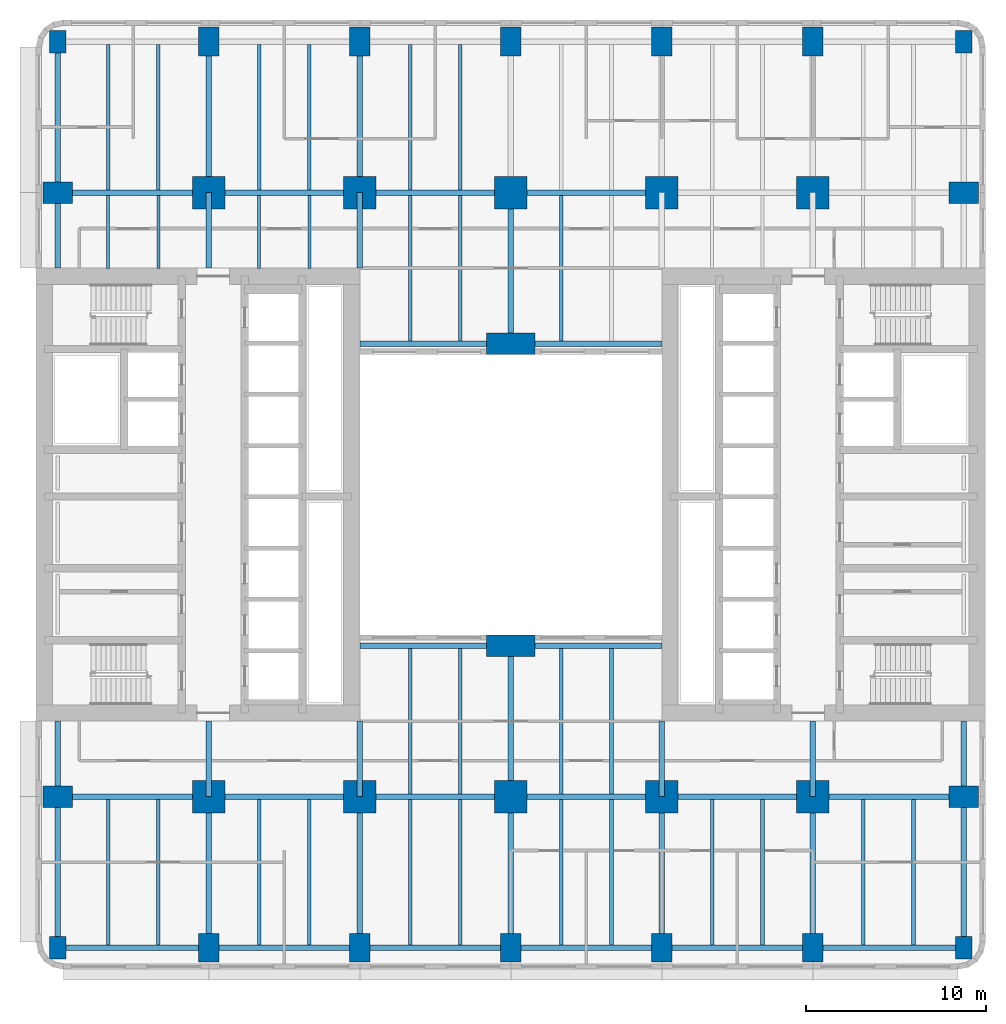
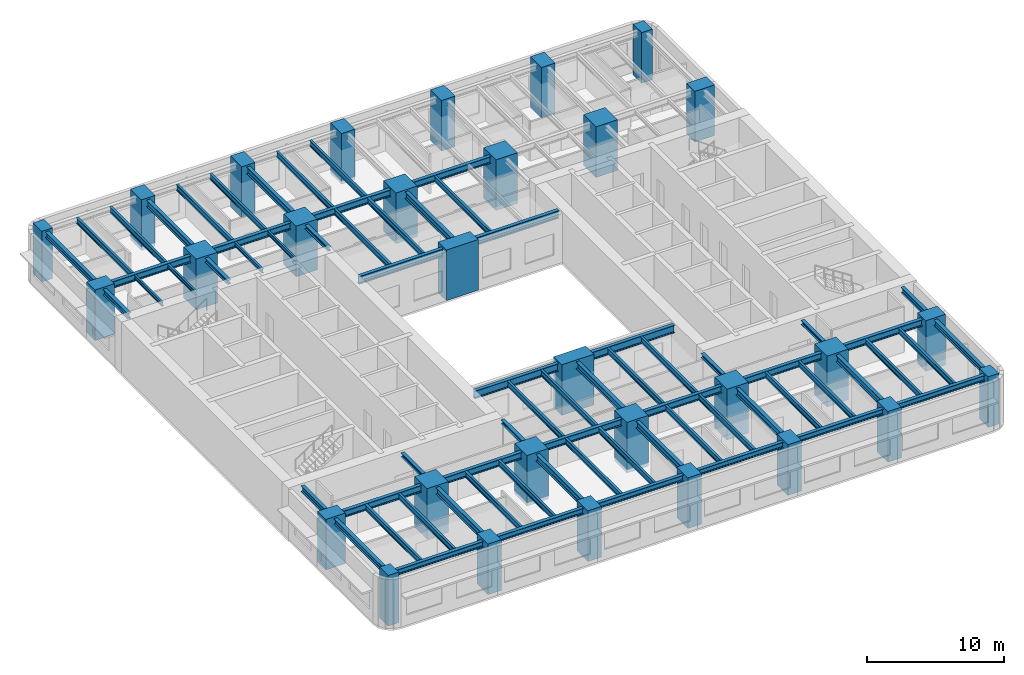
# One storey, part 1 of 14: 70 beams, 30 columns.
"""IFC4 building model written with IfcOpenShell, lengths in metres."""

from ifc_helpers import new_model, si_unit, direction, frame, origin, origin_2d, place, context, subcontext, project, spatial, rectangle, i_section, extrude, material, material_profile, profile_set, type_object, element, save


model = new_model("IFC4")

# Units and contexts
model_context = context("Model", 3, precision=1e-05, world=origin(), true_north=direction((0.0, 1.0)))
body_context = subcontext(model_context, "Body", "Model", "MODEL_VIEW")
ifc_project = project(units=[si_unit("LENGTHUNIT", "METRE"), si_unit("AREAUNIT", "SQUARE_METRE"), si_unit("VOLUMEUNIT", "CUBIC_METRE"), si_unit("PLANEANGLEUNIT", "RADIAN"), si_unit("MASSUNIT", "GRAM", prefix="KILO")], contexts=[model_context])

# Site, building, storey
site_placement = place(None, origin())
site = spatial("IfcSite", under=ifc_project, at=site_placement, CompositionType="ELEMENT")
building_placement = place(site_placement, origin())
building = spatial("IfcBuilding", under=site, at=building_placement, Name="Claustro Exchange Tower", CompositionType="ELEMENT")
storey_placement = place(building_placement, frame((0.0, 0.0, 36.89990234375)))
storey = spatial("IfcBuildingStorey", under=building, at=storey_placement, Name="L08", CompositionType="ELEMENT", Elevation=36.89990234375)

# Columns
ifc_material_1 = material(Name="Concrete HA-70 (C70/85)", Category="concrete")
ifc_material_profile_1 = material_profile(ifc_material_1, rectangle(XDim=1.800048828125, YDim=1.800048828125, at=origin_2d()), Name="RC 1800x1800")
ifc_profile_set_1 = profile_set([ifc_material_profile_1], Name="Concrete HA-70 (C70/85)")
column_type_1 = type_object("IfcColumnType", Name="C14 RC 1800x1800 HA-70 column", PredefinedType="COLUMN", material=ifc_profile_set_1)
for number, where, z_axis, x_axis, name in (
    (1, (8.39990234375, 8.39990234375, 0.0), (0.0, 0.0, 1.0), (1.0, 0.0, 0.0), "Column C14 2/B L08"),
    (2, (8.39990234375, 42.0, 0.0), (0.0, 0.0, 1.0), (1.0, 0.0, 0.0), "Column C14 2/F L08"),
    (3, (16.800048828125, 8.39990234375, 0.0), (0.0, 0.0, 1.0), (1.0, 0.0, 0.0), "Column C14 3/B L08"),
    (4, (16.800048828125, 42.0, 0.0), (0.0, 0.0, 1.0), (1.0, 0.0, 0.0), "Column C14 3/F L08"),
    (5, (25.199951171875, 8.39990234375, 0.0), (0.0, 0.0, 1.0), (1.0, 0.0, 0.0), "Column C14 4/B L08"),
    (6, (25.199951171875, 42.0, 0.0), (0.0, 0.0, 1.0), (1.0, 0.0, 0.0), "Column C14 4/F L08"),
    (7, (33.60009765625, 8.39990234375, 0.0), (0.0, 0.0, 1.0), (1.0, 0.0, 0.0), "Column C14 5/B L08"),
    (8, (33.60009765625, 42.0, 0.0), (0.0, 0.0, 1.0), (1.0, 0.0, 0.0), "Column C14 5/F L08"),
    (9, (42.0, 8.39990234375, 0.0), (0.0, 0.0, 1.0), (1.0, 0.0, 0.0), "Column C14 6/B L08"),
    (10, (42.0, 42.0, 0.0), (0.0, 0.0, 1.0), (1.0, 0.0, 0.0), "Column C14 6/F L08"),
):
    element("IfcColumn", number, at=place(storey_placement, frame(where, z_axis=z_axis, x_axis=x_axis)), inside=storey, type_object=column_type_1, Name=name, PredefinedType="COLUMN", context=body_context, shape_type="SweptSolid", body=[
        extrude(rectangle(XDim=1.800048828125, YDim=1.800048828125, at=origin_2d()), origin(), (0.0, 0.0, 1.0), 4.5),
    ])
ifc_material_2 = material(Name="Concrete HA-70 (C70/85)", Category="concrete")
ifc_material_profile_2 = material_profile(ifc_material_2, rectangle(XDim=1.199951171875, YDim=1.64990234375, at=origin_2d()), Name="RC 1200x1650")
ifc_profile_set_2 = profile_set([ifc_material_profile_2], Name="Concrete HA-70 (C70/85)")
column_type_2 = type_object("IfcColumnType", Name="C19 RC 1200x1650 HA-70 perimeter column", PredefinedType="COLUMN", material=ifc_profile_set_2)
for number, where, z_axis, x_axis, name in (
    (11, (0.0, 8.39990234375, 0.0), (0.0, 0.0, 1.0), (0.0, 1.0, 0.0), "Column C19 1/B L08"),
    (12, (0.0, 42.0, 0.0), (0.0, 0.0, 1.0), (0.0, 1.0, 0.0), "Column C19 1/F L08"),
    (13, (50.39990234375, 8.39990234375, 0.0), (0.0, 0.0, 1.0), (0.0, 1.0, 0.0), "Column C19 7/B L08"),
    (14, (50.39990234375, 42.0, 0.0), (0.0, 0.0, 1.0), (0.0, 1.0, 0.0), "Column C19 7/F L08"),
):
    element("IfcColumn", number, at=place(storey_placement, frame(where, z_axis=z_axis, x_axis=x_axis)), inside=storey, type_object=column_type_2, Name=name, PredefinedType="COLUMN", context=body_context, shape_type="SweptSolid", body=[
        extrude(rectangle(XDim=1.199951171875, YDim=1.64990234375, at=origin_2d()), origin(), (0.0, 0.0, 1.0), 4.5),
    ])
ifc_material_3 = material(Name="Concrete HA-70 (C70/85)", Category="concrete")
ifc_material_profile_3 = material_profile(ifc_material_3, rectangle(XDim=1.14990234375, YDim=1.60009765625, at=origin_2d()), Name="RC 1150x1600")
ifc_profile_set_3 = profile_set([ifc_material_profile_3], Name="Concrete HA-70 (C70/85)")
column_type_3 = type_object("IfcColumnType", Name="C20 RC 1150x1600 HA-70 perimeter column", PredefinedType="COLUMN", material=ifc_profile_set_3)
for number, where, z_axis, x_axis, name in (
    (15, (8.39990234375, 0.0, 0.0), (0.0, 0.0, 1.0), (1.0, 0.0, 0.0), "Column C20 2/A L08"),
    (16, (8.39990234375, 50.39990234375, 0.0), (0.0, 0.0, 1.0), (1.0, 0.0, 0.0), "Column C20 2/G L08"),
    (17, (16.800048828125, 0.0, 0.0), (0.0, 0.0, 1.0), (1.0, 0.0, 0.0), "Column C20 3/A L08"),
    (18, (16.800048828125, 50.39990234375, 0.0), (0.0, 0.0, 1.0), (1.0, 0.0, 0.0), "Column C20 3/G L08"),
    (19, (25.199951171875, 0.0, 0.0), (0.0, 0.0, 1.0), (1.0, 0.0, 0.0), "Column C20 4/A L08"),
    (20, (25.199951171875, 50.39990234375, 0.0), (0.0, 0.0, 1.0), (1.0, 0.0, 0.0), "Column C20 4/G L08"),
    (21, (33.60009765625, 0.0, 0.0), (0.0, 0.0, 1.0), (1.0, 0.0, 0.0), "Column C20 5/A L08"),
    (22, (33.60009765625, 50.39990234375, 0.0), (0.0, 0.0, 1.0), (1.0, 0.0, 0.0), "Column C20 5/G L08"),
    (23, (42.0, 0.0, 0.0), (0.0, 0.0, 1.0), (1.0, 0.0, 0.0), "Column C20 6/A L08"),
    (24, (42.0, 50.39990234375, 0.0), (0.0, 0.0, 1.0), (1.0, 0.0, 0.0), "Column C20 6/G L08"),
):
    element("IfcColumn", number, at=place(storey_placement, frame(where, z_axis=z_axis, x_axis=x_axis)), inside=storey, type_object=column_type_3, Name=name, PredefinedType="COLUMN", context=body_context, shape_type="SweptSolid", body=[
        extrude(rectangle(XDim=1.14990234375, YDim=1.60009765625, at=origin_2d()), origin(), (0.0, 0.0, 1.0), 4.5),
    ])
ifc_material_4 = material(Name="Concrete HA-70 (C70/85)", Category="concrete")
ifc_material_profile_4 = material_profile(ifc_material_4, rectangle(XDim=2.699951171875, YDim=1.199951171875, at=origin_2d()), Name="RC 2700x1200")
ifc_profile_set_4 = profile_set([ifc_material_profile_4], Name="Concrete HA-70 (C70/85)")
column_type_4 = type_object("IfcColumnType", Name="C30 RC 2700x1200 HA-70 light well column", PredefinedType="COLUMN", material=ifc_profile_set_4)
for number, where, z_axis, x_axis, name in (
    (25, (25.199951171875, 16.800048828125, 0.0), (0.0, 0.0, 1.0), (1.0, 0.0, 0.0), "Column C30 4/C L08"),
    (26, (25.199951171875, 33.60009765625, 0.0), (0.0, 0.0, 1.0), (1.0, 0.0, 0.0), "Column C30 4/E L08"),
):
    element("IfcColumn", number, at=place(storey_placement, frame(where, z_axis=z_axis, x_axis=x_axis)), inside=storey, type_object=column_type_4, Name=name, PredefinedType="COLUMN", context=body_context, shape_type="SweptSolid", body=[
        extrude(rectangle(XDim=2.699951171875, YDim=1.199951171875, at=origin_2d()), origin(), (0.0, 0.0, 1.0), 4.5),
    ])
ifc_material_5 = material(Name="Concrete HA-70 (C70/85)", Category="concrete")
ifc_material_profile_5 = material_profile(ifc_material_5, rectangle(XDim=0.89990234375, YDim=1.25, at=origin_2d()), Name="RC 900x1250")
ifc_profile_set_5 = profile_set([ifc_material_profile_5], Name="Concrete HA-70 (C70/85)")
column_type_5 = type_object("IfcColumnType", Name="C35 RC 900x1250 HA-70 corner column", PredefinedType="COLUMN", material=ifc_profile_set_5)
for number, where, z_axis, x_axis, name in (
    (27, (0.0, 0.0, 0.0), (0.0, 0.0, 1.0), (1.0, 0.0, 0.0), "Column C35 1/A L08"),
    (28, (0.0, 50.39990234375, 0.0), (0.0, 0.0, 1.0), (1.0, 0.0, 0.0), "Column C35 1/G L08"),
    (29, (50.39990234375, 0.0, 0.0), (0.0, 0.0, 1.0), (1.0, 0.0, 0.0), "Column C35 7/A L08"),
    (30, (50.39990234375, 50.39990234375, 0.0), (0.0, 0.0, 1.0), (1.0, 0.0, 0.0), "Column C35 7/G L08"),
):
    element("IfcColumn", number, at=place(storey_placement, frame(where, z_axis=z_axis, x_axis=x_axis)), inside=storey, type_object=column_type_5, Name=name, PredefinedType="COLUMN", context=body_context, shape_type="SweptSolid", body=[
        extrude(rectangle(XDim=0.89990234375, YDim=1.25, at=origin_2d()), origin(), (0.0, 0.0, 1.0), 4.5),
    ])

# Beams
ifc_material_6 = material(Name="Steel S355", Category="steel")
ifc_material_profile_6 = material_profile(ifc_material_6, i_section(OverallWidth=0.300048828125, OverallDepth=0.60009765625, WebThickness=0.015380859375, FlangeThickness=0.030029296875, FilletRadius=0.027099609375, at=origin_2d()), Name="HE 600 B")
ifc_profile_set_6 = profile_set([ifc_material_profile_6], Name="Steel S355")
beam_type_1 = type_object("IfcBeamType", Name="B1 HE 600 B floor girder", PredefinedType="BEAM", material=ifc_profile_set_6)
for number, where, z_axis, x_axis, name in (
    (31, (8.39990234375, 0.0, 4.0400390625), (0.0, 1.0, 0.0), (-1.0, 0.0, 0.0), "Beam B1 L09"),
    (32, (8.39990234375, 42.0, 4.0400390625), (0.0, 1.0, 0.0), (-1.0, 0.0, 0.0), "Beam B1 L09"),
    (33, (16.800048828125, 0.0, 4.0400390625), (0.0, 1.0, 0.0), (-1.0, 0.0, 0.0), "Beam B1 L09"),
    (34, (16.800048828125, 42.0, 4.0400390625), (0.0, 1.0, 0.0), (-1.0, 0.0, 0.0), "Beam B1 L09"),
    (35, (25.199951171875, 0.0, 4.0400390625), (0.0, 1.0, 0.0), (-1.0, 0.0, 0.0), "Beam B1 L09"),
):
    element("IfcBeam", number, at=place(storey_placement, frame(where, z_axis=z_axis, x_axis=x_axis)), inside=storey, type_object=beam_type_1, Name=name, PredefinedType="BEAM", context=body_context, shape_type="SweptSolid", body=[
        extrude(i_section(OverallWidth=0.300048828125, OverallDepth=0.60009765625, WebThickness=0.015380859375, FlangeThickness=0.030029296875, FilletRadius=0.027099609375, at=origin_2d()), origin(), (0.0, 0.0, 1.0), 8.39990234375),
    ])
beam_1_placement = place(storey_placement, frame((25.199951171875, 8.39990234375, 4.0400390625), z_axis=(0.0, 1.0, 0.0), x_axis=(-1.0, 0.0, 0.0)))
element("IfcBeam", 36, at=beam_1_placement, inside=storey, type_object=beam_type_1, Name="Beam B1 L09", PredefinedType="BEAM", context=body_context, shape_type="SweptSolid", body=[
    extrude(i_section(OverallWidth=0.300048828125, OverallDepth=0.60009765625, WebThickness=0.015380859375, FlangeThickness=0.030029296875, FilletRadius=0.027099609375, at=origin_2d()), origin(), (0.0, 0.0, 1.0), 8.400146484375),
])
for number, where, z_axis, x_axis, name in (
    (37, (25.199951171875, 33.60009765625, 4.0400390625), (0.0, 1.0, 0.0), (-1.0, 0.0, 0.0), "Beam B1 L09"),
    (38, (33.60009765625, 0.0, 4.0400390625), (0.0, 1.0, 0.0), (-1.0, 0.0, 0.0), "Beam B1 L09"),
    (39, (42.0, 0.0, 4.0400390625), (0.0, 1.0, 0.0), (-1.0, 0.0, 0.0), "Beam B1 L09"),
    (40, (0.0, 8.39990234375, 4.0400390625), (1.0, 0.0, 0.0), (0.0, 1.0, 0.0), "Beam B1 L09"),
):
    element("IfcBeam", number, at=place(storey_placement, frame(where, z_axis=z_axis, x_axis=x_axis)), inside=storey, type_object=beam_type_1, Name=name, PredefinedType="BEAM", context=body_context, shape_type="SweptSolid", body=[
        extrude(i_section(OverallWidth=0.300048828125, OverallDepth=0.60009765625, WebThickness=0.015380859375, FlangeThickness=0.030029296875, FilletRadius=0.027099609375, at=origin_2d()), origin(), (0.0, 0.0, 1.0), 8.39990234375),
    ])
beam_2_placement = place(storey_placement, frame((8.39990234375, 8.39990234375, 4.0400390625), z_axis=(1.0, 0.0, 0.0), x_axis=(0.0, 1.0, 0.0)))
element("IfcBeam", 41, at=beam_2_placement, inside=storey, type_object=beam_type_1, Name="Beam B1 L09", PredefinedType="BEAM", context=body_context, shape_type="SweptSolid", body=[
    extrude(i_section(OverallWidth=0.300048828125, OverallDepth=0.60009765625, WebThickness=0.015380859375, FlangeThickness=0.030029296875, FilletRadius=0.027099609375, at=origin_2d()), origin(), (0.0, 0.0, 1.0), 8.400146484375),
])
beam_3_placement = place(storey_placement, frame((16.800048828125, 8.39990234375, 4.0400390625), z_axis=(1.0, 0.0, 0.0), x_axis=(0.0, 1.0, 0.0)))
element("IfcBeam", 42, at=beam_3_placement, inside=storey, type_object=beam_type_1, Name="Beam B1 L09", PredefinedType="BEAM", context=body_context, shape_type="SweptSolid", body=[
    extrude(i_section(OverallWidth=0.300048828125, OverallDepth=0.60009765625, WebThickness=0.015380859375, FlangeThickness=0.030029296875, FilletRadius=0.027099609375, at=origin_2d()), origin(), (0.0, 0.0, 1.0), 8.39990234375),
])
beam_4_placement = place(storey_placement, frame((25.199951171875, 8.39990234375, 4.0400390625), z_axis=(1.0, 0.0, 0.0), x_axis=(0.0, 1.0, 0.0)))
element("IfcBeam", 43, at=beam_4_placement, inside=storey, type_object=beam_type_1, Name="Beam B1 L09", PredefinedType="BEAM", context=body_context, shape_type="SweptSolid", body=[
    extrude(i_section(OverallWidth=0.300048828125, OverallDepth=0.60009765625, WebThickness=0.015380859375, FlangeThickness=0.030029296875, FilletRadius=0.027099609375, at=origin_2d()), origin(), (0.0, 0.0, 1.0), 8.400146484375),
])
for number, where, z_axis, x_axis, name in (
    (44, (33.60009765625, 8.39990234375, 4.0400390625), (1.0, 0.0, 0.0), (0.0, 1.0, 0.0), "Beam B1 L09"),
    (45, (42.0, 8.39990234375, 4.0400390625), (1.0, 0.0, 0.0), (0.0, 1.0, 0.0), "Beam B1 L09"),
    (46, (0.0, 42.0, 4.0400390625), (1.0, 0.0, 0.0), (0.0, 1.0, 0.0), "Beam B1 L09"),
):
    element("IfcBeam", number, at=place(storey_placement, frame(where, z_axis=z_axis, x_axis=x_axis)), inside=storey, type_object=beam_type_1, Name=name, PredefinedType="BEAM", context=body_context, shape_type="SweptSolid", body=[
        extrude(i_section(OverallWidth=0.300048828125, OverallDepth=0.60009765625, WebThickness=0.015380859375, FlangeThickness=0.030029296875, FilletRadius=0.027099609375, at=origin_2d()), origin(), (0.0, 0.0, 1.0), 8.39990234375),
    ])
beam_5_placement = place(storey_placement, frame((8.39990234375, 42.0, 4.0400390625), z_axis=(1.0, 0.0, 0.0), x_axis=(0.0, 1.0, 0.0)))
element("IfcBeam", 47, at=beam_5_placement, inside=storey, type_object=beam_type_1, Name="Beam B1 L09", PredefinedType="BEAM", context=body_context, shape_type="SweptSolid", body=[
    extrude(i_section(OverallWidth=0.300048828125, OverallDepth=0.60009765625, WebThickness=0.015380859375, FlangeThickness=0.030029296875, FilletRadius=0.027099609375, at=origin_2d()), origin(), (0.0, 0.0, 1.0), 8.400146484375),
])
beam_6_placement = place(storey_placement, frame((16.800048828125, 42.0, 4.0400390625), z_axis=(1.0, 0.0, 0.0), x_axis=(0.0, 1.0, 0.0)))
element("IfcBeam", 48, at=beam_6_placement, inside=storey, type_object=beam_type_1, Name="Beam B1 L09", PredefinedType="BEAM", context=body_context, shape_type="SweptSolid", body=[
    extrude(i_section(OverallWidth=0.300048828125, OverallDepth=0.60009765625, WebThickness=0.015380859375, FlangeThickness=0.030029296875, FilletRadius=0.027099609375, at=origin_2d()), origin(), (0.0, 0.0, 1.0), 8.39990234375),
])
beam_7_placement = place(storey_placement, frame((25.199951171875, 42.0, 4.0400390625), z_axis=(1.0, 0.0, 0.0), x_axis=(0.0, 1.0, 0.0)))
element("IfcBeam", 49, at=beam_7_placement, inside=storey, type_object=beam_type_1, Name="Beam B1 L09", PredefinedType="BEAM", context=body_context, shape_type="SweptSolid", body=[
    extrude(i_section(OverallWidth=0.300048828125, OverallDepth=0.60009765625, WebThickness=0.015380859375, FlangeThickness=0.030029296875, FilletRadius=0.027099609375, at=origin_2d()), origin(), (0.0, 0.0, 1.0), 8.400146484375),
])
ifc_material_7 = material(Name="Steel S355", Category="steel")
ifc_material_profile_7 = material_profile(ifc_material_7, i_section(OverallWidth=0.300048828125, OverallDepth=0.68994140625, WebThickness=0.014404296875, FlangeThickness=0.027099609375, FilletRadius=0.027099609375, at=origin_2d()), Name="HE 700 A")
ifc_profile_set_7 = profile_set([ifc_material_profile_7], Name="Steel S355")
beam_type_2 = type_object("IfcBeamType", Name="B13 HE 700 A light well edge girder", PredefinedType="BEAM", material=ifc_profile_set_7)
beam_8_placement = place(storey_placement, frame((16.800048828125, 16.800048828125, 3.9951171875), z_axis=(1.0, 0.0, 0.0), x_axis=(0.0, 1.0, 0.0)))
element("IfcBeam", 50, at=beam_8_placement, inside=storey, type_object=beam_type_2, Name="Beam B13 L09", PredefinedType="BEAM", context=body_context, shape_type="SweptSolid", body=[
    extrude(i_section(OverallWidth=0.300048828125, OverallDepth=0.68994140625, WebThickness=0.014404296875, FlangeThickness=0.027099609375, FilletRadius=0.027099609375, at=origin_2d()), origin(), (0.0, 0.0, 1.0), 8.39990234375),
])
beam_9_placement = place(storey_placement, frame((25.199951171875, 16.800048828125, 3.9951171875), z_axis=(1.0, 0.0, 0.0), x_axis=(0.0, 1.0, 0.0)))
element("IfcBeam", 51, at=beam_9_placement, inside=storey, type_object=beam_type_2, Name="Beam B13 L09", PredefinedType="BEAM", context=body_context, shape_type="SweptSolid", body=[
    extrude(i_section(OverallWidth=0.300048828125, OverallDepth=0.68994140625, WebThickness=0.014404296875, FlangeThickness=0.027099609375, FilletRadius=0.027099609375, at=origin_2d()), origin(), (0.0, 0.0, 1.0), 8.400146484375),
])
beam_10_placement = place(storey_placement, frame((16.800048828125, 33.60009765625, 3.9951171875), z_axis=(1.0, 0.0, 0.0), x_axis=(0.0, 1.0, 0.0)))
element("IfcBeam", 52, at=beam_10_placement, inside=storey, type_object=beam_type_2, Name="Beam B13 L09", PredefinedType="BEAM", context=body_context, shape_type="SweptSolid", body=[
    extrude(i_section(OverallWidth=0.300048828125, OverallDepth=0.68994140625, WebThickness=0.014404296875, FlangeThickness=0.027099609375, FilletRadius=0.027099609375, at=origin_2d()), origin(), (0.0, 0.0, 1.0), 8.39990234375),
])
beam_11_placement = place(storey_placement, frame((25.199951171875, 33.60009765625, 3.9951171875), z_axis=(1.0, 0.0, 0.0), x_axis=(0.0, 1.0, 0.0)))
element("IfcBeam", 53, at=beam_11_placement, inside=storey, type_object=beam_type_2, Name="Beam B13 L09", PredefinedType="BEAM", context=body_context, shape_type="SweptSolid", body=[
    extrude(i_section(OverallWidth=0.300048828125, OverallDepth=0.68994140625, WebThickness=0.014404296875, FlangeThickness=0.027099609375, FilletRadius=0.027099609375, at=origin_2d()), origin(), (0.0, 0.0, 1.0), 8.400146484375),
])
ifc_material_8 = material(Name="Steel S355", Category="steel")
ifc_material_profile_8 = material_profile(ifc_material_8, i_section(OverallWidth=0.169921875, OverallDepth=0.360107421875, WebThickness=0.008056640625, FlangeThickness=0.0126953125, FilletRadius=0.01806640625, at=origin_2d()), Name="IPE 360")
ifc_profile_set_8 = profile_set([ifc_material_profile_8], Name="Steel S355")
beam_type_3 = type_object("IfcBeamType", Name="B16 IPE 360 short-span beam", PredefinedType="BEAM", material=ifc_profile_set_8)
for number, where, z_axis, x_axis, name in (
    (54, (2.800048828125, 37.7900390625, 4.16015625), (0.0, 1.0, 0.0), (-1.0, 0.0, 0.0), "Beam B16 L09"),
    (55, (5.60009765625, 37.7900390625, 4.16015625), (0.0, 1.0, 0.0), (-1.0, 0.0, 0.0), "Beam B16 L09"),
    (56, (11.199951171875, 37.7900390625, 4.16015625), (0.0, 1.0, 0.0), (-1.0, 0.0, 0.0), "Beam B16 L09"),
    (57, (14.0, 37.7900390625, 4.16015625), (0.0, 1.0, 0.0), (-1.0, 0.0, 0.0), "Beam B16 L09"),
):
    element("IfcBeam", number, at=place(storey_placement, frame(where, z_axis=z_axis, x_axis=x_axis)), inside=storey, type_object=beam_type_3, Name=name, PredefinedType="BEAM", context=body_context, shape_type="SweptSolid", body=[
        extrude(i_section(OverallWidth=0.169921875, OverallDepth=0.360107421875, WebThickness=0.008056640625, FlangeThickness=0.0126953125, FilletRadius=0.01806640625, at=origin_2d()), origin(), (0.0, 0.0, 1.0), 4.06005859375),
    ])
ifc_material_9 = material(Name="Steel S355", Category="steel")
ifc_material_profile_9 = material_profile(ifc_material_9, i_section(OverallWidth=0.199951171875, OverallDepth=0.5, WebThickness=0.01025390625, FlangeThickness=0.01611328125, FilletRadius=0.02099609375, at=origin_2d()), Name="IPE 500")
ifc_profile_set_9 = profile_set([ifc_material_profile_9], Name="Steel S355")
beam_type_4 = type_object("IfcBeamType", Name="B2 IPE 500 secondary beam", PredefinedType="BEAM", material=ifc_profile_set_9)
for number, where, z_axis, x_axis, name in (
    (58, (2.800048828125, 0.14990234375, 4.090087890625), (0.0, 1.0, 0.0), (-1.0, 0.0, 0.0), "Beam B2 L09"),
    (59, (5.60009765625, 0.14990234375, 4.090087890625), (0.0, 1.0, 0.0), (-1.0, 0.0, 0.0), "Beam B2 L09"),
    (60, (2.800048828125, 42.14990234375, 4.090087890625), (0.0, 1.0, 0.0), (-1.0, 0.0, 0.0), "Beam B2 L09"),
    (61, (5.60009765625, 42.14990234375, 4.090087890625), (0.0, 1.0, 0.0), (-1.0, 0.0, 0.0), "Beam B2 L09"),
    (62, (11.199951171875, 0.14990234375, 4.090087890625), (0.0, 1.0, 0.0), (-1.0, 0.0, 0.0), "Beam B2 L09"),
    (63, (14.0, 0.14990234375, 4.090087890625), (0.0, 1.0, 0.0), (-1.0, 0.0, 0.0), "Beam B2 L09"),
    (64, (11.199951171875, 42.14990234375, 4.090087890625), (0.0, 1.0, 0.0), (-1.0, 0.0, 0.0), "Beam B2 L09"),
    (65, (14.0, 42.14990234375, 4.090087890625), (0.0, 1.0, 0.0), (-1.0, 0.0, 0.0), "Beam B2 L09"),
    (66, (19.60009765625, 0.14990234375, 4.090087890625), (0.0, 1.0, 0.0), (-1.0, 0.0, 0.0), "Beam B2 L09"),
    (67, (22.39990234375, 0.14990234375, 4.090087890625), (0.0, 1.0, 0.0), (-1.0, 0.0, 0.0), "Beam B2 L09"),
):
    element("IfcBeam", number, at=place(storey_placement, frame(where, z_axis=z_axis, x_axis=x_axis)), inside=storey, type_object=beam_type_4, Name=name, PredefinedType="BEAM", context=body_context, shape_type="SweptSolid", body=[
        extrude(i_section(OverallWidth=0.199951171875, OverallDepth=0.5, WebThickness=0.01025390625, FlangeThickness=0.01611328125, FilletRadius=0.02099609375, at=origin_2d()), origin(), (0.0, 0.0, 1.0), 8.10009765625),
    ])
for number, where, z_axis, x_axis, name in (
    (68, (19.60009765625, 8.550048828125, 4.090087890625), (0.0, 1.0, 0.0), (-1.0, 0.0, 0.0), "Beam B2 L09"),
    (69, (22.39990234375, 8.550048828125, 4.090087890625), (0.0, 1.0, 0.0), (-1.0, 0.0, 0.0), "Beam B2 L09"),
):
    element("IfcBeam", number, at=place(storey_placement, frame(where, z_axis=z_axis, x_axis=x_axis)), inside=storey, type_object=beam_type_4, Name=name, PredefinedType="BEAM", context=body_context, shape_type="SweptSolid", body=[
        extrude(i_section(OverallWidth=0.199951171875, OverallDepth=0.5, WebThickness=0.01025390625, FlangeThickness=0.01611328125, FilletRadius=0.02099609375, at=origin_2d()), origin(), (0.0, 0.0, 1.0), 8.099853515625),
    ])
for number, where, z_axis, x_axis, name in (
    (70, (19.60009765625, 33.75, 4.090087890625), (0.0, 1.0, 0.0), (-1.0, 0.0, 0.0), "Beam B2 L09"),
    (71, (22.39990234375, 33.75, 4.090087890625), (0.0, 1.0, 0.0), (-1.0, 0.0, 0.0), "Beam B2 L09"),
    (72, (19.60009765625, 42.14990234375, 4.090087890625), (0.0, 1.0, 0.0), (-1.0, 0.0, 0.0), "Beam B2 L09"),
    (73, (22.39990234375, 42.14990234375, 4.090087890625), (0.0, 1.0, 0.0), (-1.0, 0.0, 0.0), "Beam B2 L09"),
    (74, (28.0, 0.14990234375, 4.090087890625), (0.0, 1.0, 0.0), (-1.0, 0.0, 0.0), "Beam B2 L09"),
    (75, (30.800048828125, 0.14990234375, 4.090087890625), (0.0, 1.0, 0.0), (-1.0, 0.0, 0.0), "Beam B2 L09"),
):
    element("IfcBeam", number, at=place(storey_placement, frame(where, z_axis=z_axis, x_axis=x_axis)), inside=storey, type_object=beam_type_4, Name=name, PredefinedType="BEAM", context=body_context, shape_type="SweptSolid", body=[
        extrude(i_section(OverallWidth=0.199951171875, OverallDepth=0.5, WebThickness=0.01025390625, FlangeThickness=0.01611328125, FilletRadius=0.02099609375, at=origin_2d()), origin(), (0.0, 0.0, 1.0), 8.10009765625),
    ])
for number, where, z_axis, x_axis, name in (
    (76, (28.0, 8.550048828125, 4.090087890625), (0.0, 1.0, 0.0), (-1.0, 0.0, 0.0), "Beam B2 L09"),
    (77, (30.800048828125, 8.550048828125, 4.090087890625), (0.0, 1.0, 0.0), (-1.0, 0.0, 0.0), "Beam B2 L09"),
):
    element("IfcBeam", number, at=place(storey_placement, frame(where, z_axis=z_axis, x_axis=x_axis)), inside=storey, type_object=beam_type_4, Name=name, PredefinedType="BEAM", context=body_context, shape_type="SweptSolid", body=[
        extrude(i_section(OverallWidth=0.199951171875, OverallDepth=0.5, WebThickness=0.01025390625, FlangeThickness=0.01611328125, FilletRadius=0.02099609375, at=origin_2d()), origin(), (0.0, 0.0, 1.0), 8.099853515625),
    ])
for number, where, z_axis, x_axis, name in (
    (78, (28.0, 33.75, 4.090087890625), (0.0, 1.0, 0.0), (-1.0, 0.0, 0.0), "Beam B2 L09"),
    (79, (36.39990234375, 0.14990234375, 4.090087890625), (0.0, 1.0, 0.0), (-1.0, 0.0, 0.0), "Beam B2 L09"),
    (80, (39.199951171875, 0.14990234375, 4.090087890625), (0.0, 1.0, 0.0), (-1.0, 0.0, 0.0), "Beam B2 L09"),
    (81, (44.800048828125, 0.14990234375, 4.090087890625), (0.0, 1.0, 0.0), (-1.0, 0.0, 0.0), "Beam B2 L09"),
    (82, (47.60009765625, 0.14990234375, 4.090087890625), (0.0, 1.0, 0.0), (-1.0, 0.0, 0.0), "Beam B2 L09"),
):
    element("IfcBeam", number, at=place(storey_placement, frame(where, z_axis=z_axis, x_axis=x_axis)), inside=storey, type_object=beam_type_4, Name=name, PredefinedType="BEAM", context=body_context, shape_type="SweptSolid", body=[
        extrude(i_section(OverallWidth=0.199951171875, OverallDepth=0.5, WebThickness=0.01025390625, FlangeThickness=0.01611328125, FilletRadius=0.02099609375, at=origin_2d()), origin(), (0.0, 0.0, 1.0), 8.10009765625),
    ])
ifc_material_10 = material(Name="Steel S355", Category="steel")
ifc_material_profile_10 = material_profile(ifc_material_10, i_section(OverallWidth=0.300048828125, OverallDepth=0.360107421875, WebThickness=0.012451171875, FlangeThickness=0.0224609375, FilletRadius=0.027099609375, at=origin_2d()), Name="HE 360 B")
ifc_profile_set_10 = profile_set([ifc_material_profile_10], Name="Steel S355")
beam_type_5 = type_object("IfcBeamType", Name="B29 HE 360 B column to core link beam", PredefinedType="BEAM", material=ifc_profile_set_10)
beam_12_placement = place(storey_placement, frame((8.39990234375, 8.39990234375, 4.16015625), z_axis=(0.0, 1.0, 0.0), x_axis=(-1.0, 0.0, 0.0)))
element("IfcBeam", 83, at=beam_12_placement, inside=storey, type_object=beam_type_5, Name="Beam B29 L09", PredefinedType="BEAM", context=body_context, shape_type="SweptSolid", body=[
    extrude(i_section(OverallWidth=0.300048828125, OverallDepth=0.360107421875, WebThickness=0.012451171875, FlangeThickness=0.0224609375, FilletRadius=0.027099609375, at=origin_2d()), origin(), (0.0, 0.0, 1.0), 4.2001953125),
])
beam_13_placement = place(storey_placement, frame((8.39990234375, 37.800048828125, 4.16015625), z_axis=(0.0, 1.0, 0.0), x_axis=(-1.0, 0.0, 0.0)))
element("IfcBeam", 84, at=beam_13_placement, inside=storey, type_object=beam_type_5, Name="Beam B29 L09", PredefinedType="BEAM", context=body_context, shape_type="SweptSolid", body=[
    extrude(i_section(OverallWidth=0.300048828125, OverallDepth=0.360107421875, WebThickness=0.012451171875, FlangeThickness=0.0224609375, FilletRadius=0.027099609375, at=origin_2d()), origin(), (0.0, 0.0, 1.0), 4.199951171875),
])
beam_14_placement = place(storey_placement, frame((16.800048828125, 8.39990234375, 4.16015625), z_axis=(0.0, 1.0, 0.0), x_axis=(-1.0, 0.0, 0.0)))
element("IfcBeam", 85, at=beam_14_placement, inside=storey, type_object=beam_type_5, Name="Beam B29 L09", PredefinedType="BEAM", context=body_context, shape_type="SweptSolid", body=[
    extrude(i_section(OverallWidth=0.300048828125, OverallDepth=0.360107421875, WebThickness=0.012451171875, FlangeThickness=0.0224609375, FilletRadius=0.027099609375, at=origin_2d()), origin(), (0.0, 0.0, 1.0), 4.2001953125),
])
beam_15_placement = place(storey_placement, frame((16.800048828125, 37.800048828125, 4.16015625), z_axis=(0.0, 1.0, 0.0), x_axis=(-1.0, 0.0, 0.0)))
element("IfcBeam", 86, at=beam_15_placement, inside=storey, type_object=beam_type_5, Name="Beam B29 L09", PredefinedType="BEAM", context=body_context, shape_type="SweptSolid", body=[
    extrude(i_section(OverallWidth=0.300048828125, OverallDepth=0.360107421875, WebThickness=0.012451171875, FlangeThickness=0.0224609375, FilletRadius=0.027099609375, at=origin_2d()), origin(), (0.0, 0.0, 1.0), 4.199951171875),
])
for number, where, z_axis, x_axis, name in (
    (87, (33.60009765625, 8.39990234375, 4.16015625), (0.0, 1.0, 0.0), (-1.0, 0.0, 0.0), "Beam B29 L09"),
    (88, (42.0, 8.39990234375, 4.16015625), (0.0, 1.0, 0.0), (-1.0, 0.0, 0.0), "Beam B29 L09"),
):
    element("IfcBeam", number, at=place(storey_placement, frame(where, z_axis=z_axis, x_axis=x_axis)), inside=storey, type_object=beam_type_5, Name=name, PredefinedType="BEAM", context=body_context, shape_type="SweptSolid", body=[
        extrude(i_section(OverallWidth=0.300048828125, OverallDepth=0.360107421875, WebThickness=0.012451171875, FlangeThickness=0.0224609375, FilletRadius=0.027099609375, at=origin_2d()), origin(), (0.0, 0.0, 1.0), 4.2001953125),
    ])
ifc_material_11 = material(Name="Steel S355", Category="steel")
ifc_material_profile_11 = material_profile(ifc_material_11, i_section(OverallWidth=0.300048828125, OverallDepth=0.5, WebThickness=0.014404296875, FlangeThickness=0.028076171875, FilletRadius=0.027099609375, at=origin_2d()), Name="HE 500 B")
ifc_profile_set_11 = profile_set([ifc_material_profile_11], Name="Steel S355")
beam_type_6 = type_object("IfcBeamType", Name="B3 HE 500 B spandrel edge girder", PredefinedType="SPANDREL", material=ifc_profile_set_11)
beam_16_placement = place(storey_placement, frame((0.0, 0.0, 4.090087890625), z_axis=(0.0, 1.0, 0.0), x_axis=(-1.0, 0.0, 0.0)))
element("IfcBeam", 89, at=beam_16_placement, inside=storey, type_object=beam_type_6, Name="Beam B3 L09", PredefinedType="SPANDREL", context=body_context, shape_type="SweptSolid", body=[
    extrude(i_section(OverallWidth=0.300048828125, OverallDepth=0.5, WebThickness=0.014404296875, FlangeThickness=0.028076171875, FilletRadius=0.027099609375, at=origin_2d()), origin(), (0.0, 0.0, 1.0), 8.39990234375),
])
beam_17_placement = place(storey_placement, frame((0.0, 8.39990234375, 4.090087890625), z_axis=(0.0, 1.0, 0.0), x_axis=(-1.0, 0.0, 0.0)))
element("IfcBeam", 90, at=beam_17_placement, inside=storey, type_object=beam_type_6, Name="Beam B3 L09", PredefinedType="SPANDREL", context=body_context, shape_type="SweptSolid", body=[
    extrude(i_section(OverallWidth=0.300048828125, OverallDepth=0.5, WebThickness=0.014404296875, FlangeThickness=0.028076171875, FilletRadius=0.027099609375, at=origin_2d()), origin(), (0.0, 0.0, 1.0), 4.2001953125),
])
beam_18_placement = place(storey_placement, frame((0.0, 37.800048828125, 4.090087890625), z_axis=(0.0, 1.0, 0.0), x_axis=(-1.0, 0.0, 0.0)))
element("IfcBeam", 91, at=beam_18_placement, inside=storey, type_object=beam_type_6, Name="Beam B3 L09", PredefinedType="SPANDREL", context=body_context, shape_type="SweptSolid", body=[
    extrude(i_section(OverallWidth=0.300048828125, OverallDepth=0.5, WebThickness=0.014404296875, FlangeThickness=0.028076171875, FilletRadius=0.027099609375, at=origin_2d()), origin(), (0.0, 0.0, 1.0), 4.199951171875),
])
for number, where, z_axis, x_axis, name in (
    (92, (0.0, 42.0, 4.090087890625), (0.0, 1.0, 0.0), (-1.0, 0.0, 0.0), "Beam B3 L09"),
    (93, (50.39990234375, 0.0, 4.090087890625), (0.0, 1.0, 0.0), (-1.0, 0.0, 0.0), "Beam B3 L09"),
):
    element("IfcBeam", number, at=place(storey_placement, frame(where, z_axis=z_axis, x_axis=x_axis)), inside=storey, type_object=beam_type_6, Name=name, PredefinedType="SPANDREL", context=body_context, shape_type="SweptSolid", body=[
        extrude(i_section(OverallWidth=0.300048828125, OverallDepth=0.5, WebThickness=0.014404296875, FlangeThickness=0.028076171875, FilletRadius=0.027099609375, at=origin_2d()), origin(), (0.0, 0.0, 1.0), 8.39990234375),
    ])
beam_19_placement = place(storey_placement, frame((50.39990234375, 8.39990234375, 4.090087890625), z_axis=(0.0, 1.0, 0.0), x_axis=(-1.0, 0.0, 0.0)))
element("IfcBeam", 94, at=beam_19_placement, inside=storey, type_object=beam_type_6, Name="Beam B3 L09", PredefinedType="SPANDREL", context=body_context, shape_type="SweptSolid", body=[
    extrude(i_section(OverallWidth=0.300048828125, OverallDepth=0.5, WebThickness=0.014404296875, FlangeThickness=0.028076171875, FilletRadius=0.027099609375, at=origin_2d()), origin(), (0.0, 0.0, 1.0), 4.2001953125),
])
beam_20_placement = place(storey_placement, frame((0.0, 0.0, 4.090087890625), z_axis=(1.0, 0.0, 0.0), x_axis=(0.0, 1.0, 0.0)))
element("IfcBeam", 95, at=beam_20_placement, inside=storey, type_object=beam_type_6, Name="Beam B3 L09", PredefinedType="SPANDREL", context=body_context, shape_type="SweptSolid", body=[
    extrude(i_section(OverallWidth=0.300048828125, OverallDepth=0.5, WebThickness=0.014404296875, FlangeThickness=0.028076171875, FilletRadius=0.027099609375, at=origin_2d()), origin(), (0.0, 0.0, 1.0), 8.39990234375),
])
beam_21_placement = place(storey_placement, frame((8.39990234375, 0.0, 4.090087890625), z_axis=(1.0, 0.0, 0.0), x_axis=(0.0, 1.0, 0.0)))
element("IfcBeam", 96, at=beam_21_placement, inside=storey, type_object=beam_type_6, Name="Beam B3 L09", PredefinedType="SPANDREL", context=body_context, shape_type="SweptSolid", body=[
    extrude(i_section(OverallWidth=0.300048828125, OverallDepth=0.5, WebThickness=0.014404296875, FlangeThickness=0.028076171875, FilletRadius=0.027099609375, at=origin_2d()), origin(), (0.0, 0.0, 1.0), 8.400146484375),
])
beam_22_placement = place(storey_placement, frame((16.800048828125, 0.0, 4.090087890625), z_axis=(1.0, 0.0, 0.0), x_axis=(0.0, 1.0, 0.0)))
element("IfcBeam", 97, at=beam_22_placement, inside=storey, type_object=beam_type_6, Name="Beam B3 L09", PredefinedType="SPANDREL", context=body_context, shape_type="SweptSolid", body=[
    extrude(i_section(OverallWidth=0.300048828125, OverallDepth=0.5, WebThickness=0.014404296875, FlangeThickness=0.028076171875, FilletRadius=0.027099609375, at=origin_2d()), origin(), (0.0, 0.0, 1.0), 8.39990234375),
])
beam_23_placement = place(storey_placement, frame((25.199951171875, 0.0, 4.090087890625), z_axis=(1.0, 0.0, 0.0), x_axis=(0.0, 1.0, 0.0)))
element("IfcBeam", 98, at=beam_23_placement, inside=storey, type_object=beam_type_6, Name="Beam B3 L09", PredefinedType="SPANDREL", context=body_context, shape_type="SweptSolid", body=[
    extrude(i_section(OverallWidth=0.300048828125, OverallDepth=0.5, WebThickness=0.014404296875, FlangeThickness=0.028076171875, FilletRadius=0.027099609375, at=origin_2d()), origin(), (0.0, 0.0, 1.0), 8.400146484375),
])
for number, where, z_axis, x_axis, name in (
    (99, (33.60009765625, 0.0, 4.090087890625), (1.0, 0.0, 0.0), (0.0, 1.0, 0.0), "Beam B3 L09"),
    (100, (42.0, 0.0, 4.090087890625), (1.0, 0.0, 0.0), (0.0, 1.0, 0.0), "Beam B3 L09"),
):
    element("IfcBeam", number, at=place(storey_placement, frame(where, z_axis=z_axis, x_axis=x_axis)), inside=storey, type_object=beam_type_6, Name=name, PredefinedType="SPANDREL", context=body_context, shape_type="SweptSolid", body=[
        extrude(i_section(OverallWidth=0.300048828125, OverallDepth=0.5, WebThickness=0.014404296875, FlangeThickness=0.028076171875, FilletRadius=0.027099609375, at=origin_2d()), origin(), (0.0, 0.0, 1.0), 8.39990234375),
    ])

save(model, "model.ifc")
